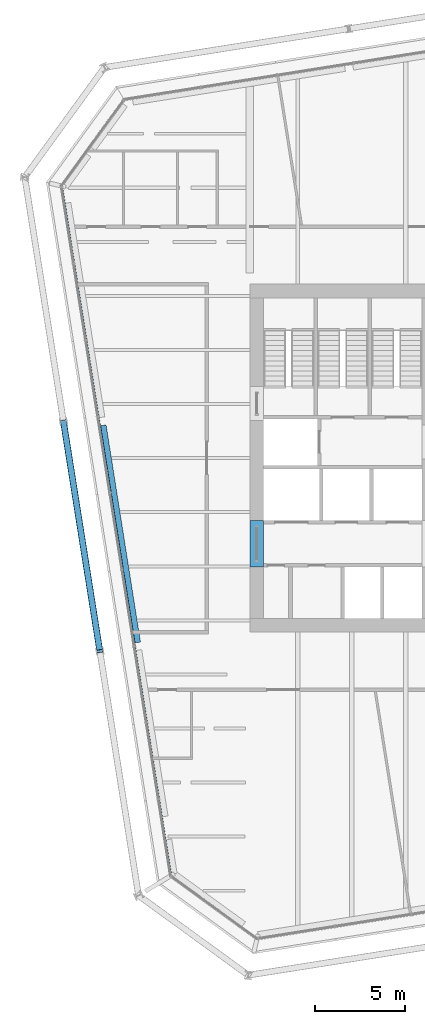
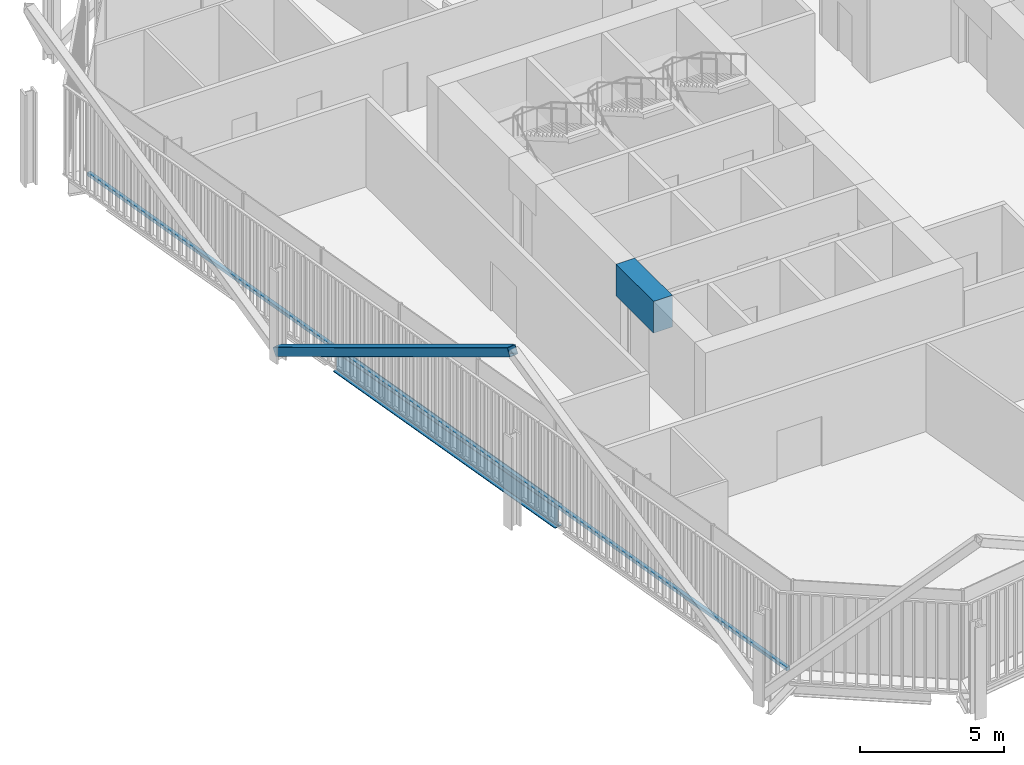
# One storey, part 3 of 19: 2 beams, 2 members, 1 element without a shape of its own.
"""IFC4 building model written with IfcOpenShell, lengths in metres."""

from ifc_helpers import new_model, si_unit, direction, frame, origin, origin_2d, place, context, subcontext, project, spatial, rectangle, hollow_rectangle, i_section, extrude, material, layer, layer_set, material_profile, profile_set, type_object, element, aggregate, save


model = new_model("IFC4")

# Units and contexts
model_context = context("Model", 3, precision=1e-05, world=origin(), true_north=direction((0.0, 1.0)))
body_context = subcontext(model_context, "Body", "Model", "MODEL_VIEW")
ifc_project = project(units=[si_unit("LENGTHUNIT", "METRE"), si_unit("AREAUNIT", "SQUARE_METRE"), si_unit("VOLUMEUNIT", "CUBIC_METRE"), si_unit("PLANEANGLEUNIT", "RADIAN"), si_unit("MASSUNIT", "GRAM", prefix="KILO")], contexts=[model_context])

# Site, building, storey
site_placement = place(None, origin())
site = spatial("IfcSite", under=ifc_project, at=site_placement, CompositionType="ELEMENT")
building_placement = place(site_placement, origin())
building = spatial("IfcBuilding", under=site, at=building_placement, Name="Millrace Tower", CompositionType="ELEMENT")
storey_placement = place(building_placement, frame((0.0, 0.0, 129.5)))
storey = spatial("IfcBuildingStorey", under=building, at=storey_placement, Name="L28", CompositionType="ELEMENT", Elevation=129.5)

# Curtain wall, member
ifc_material_1 = material(Name="Aluminium and glass", Category="aluminium")
ifc_layer = layer(ifc_material_1, 0.14990234375)
ifc_layer_set = layer_set([ifc_layer], Name="Aluminium and glass")
curtain_wall_type = type_object("IfcCurtainWallType", Name="CW-1 office vision curtain wall", PredefinedType="NOTDEFINED", material=ifc_layer_set)
curtain_wall_placement = place(storey_placement, origin())
curtain_wall = element("IfcCurtainWall", 1, at=curtain_wall_placement, inside=storey, type_object=curtain_wall_type, Name="Curtain wall C-F08 L28", PredefinedType="NOTDEFINED")
ifc_material_2 = material(Name="Aluminium", Category="aluminium")
ifc_material_profile_1 = material_profile(ifc_material_2, rectangle(XDim=0.14990234375, YDim=0.139892578125, at=origin_2d()))
ifc_profile_set_1 = profile_set([ifc_material_profile_1], Name="Aluminium")
member_type_1 = type_object("IfcMemberType", Name="CW-1 office vision curtain wall transom", PredefinedType="USERDEFINED", material=ifc_profile_set_1)
member_1_placement = place(storey_placement, frame((-25.09619140625, 14.97509765625, 0.070068359375), z_axis=(0.156433422663, -0.987688505691, 0.0), x_axis=(0.987688505691, 0.156433422663, 0.0)))
member_1 = element("IfcMember", 2, at=member_1_placement, type_object=member_type_1, Name="CW1 transom C-F08.1", ObjectType="TRANSOM", PredefinedType="USERDEFINED", context=body_context, shape_type="SweptSolid", body=[
    extrude(rectangle(XDim=0.14990234375, YDim=0.139892578125, at=origin_2d()), origin(), (0.0, 0.0, 1.0), 38.5),
])
aggregate(curtain_wall, [member_1])

# Beam
ifc_material_3 = material(Name="Concrete C70", Category="concrete")
ifc_material_profile_2 = material_profile(ifc_material_3, rectangle(XDim=0.75, YDim=1.340087890625, at=origin_2d()))
ifc_profile_set_2 = profile_set([ifc_material_profile_2], Name="Concrete C70")
beam_type_1 = type_object("IfcBeamType", Name="Coupling beam 750 x 1340 Concrete C70, 2000 opening", PredefinedType="BEAM", material=ifc_profile_set_2)
beam_1_placement = place(storey_placement, frame((-14.27490234375, -6.050048828125, 3.070068359375), z_axis=(0.0, 1.0, 0.0), x_axis=(-1.0, 0.0, 0.0)))
element("IfcBeam", 3, at=beam_1_placement, inside=storey, type_object=beam_type_1, Name="Coupling beam W L28", PredefinedType="BEAM", context=body_context, shape_type="SweptSolid", body=[
    extrude(rectangle(XDim=0.75, YDim=1.340087890625, at=origin_2d()), origin(), (0.0, 0.0, 1.0), 2.60009765625),
])

# Member
ifc_material_4 = material(Name="Steel ASTM A500 Grade C", Category="steel")
ifc_material_profile_3 = material_profile(ifc_material_4, hollow_rectangle(XDim=0.355712890625, YDim=0.355712890625, WallThickness=0.015869140625, InnerFilletRadius=0.008056640625, OuterFilletRadius=0.02392578125, at=origin_2d()))
ifc_profile_set_3 = profile_set([ifc_material_profile_3], Name="Steel ASTM A500 Grade C")
member_type_2 = type_object("IfcMemberType", Name="Exoskeleton brace HSS14x14x5/8", PredefinedType="BRACE", material=ifc_profile_set_3)
member_2_placement = place(storey_placement, frame((-24.9951171875, 2.031494140625, 0.39990234375), z_axis=(0.137499609887, -0.868113917345, 0.476940335673), x_axis=(0.987687659758, 0.156438763615, 0.0)))
element("IfcMember", 4, at=member_2_placement, inside=storey, type_object=member_type_2, Name="BRC-C-L28-15", PredefinedType="BRACE", context=body_context, shape_type="SweptSolid", body=[
    extrude(hollow_rectangle(XDim=0.355712890625, YDim=0.355712890625, WallThickness=0.015869140625, InnerFilletRadius=0.008056640625, OuterFilletRadius=0.02392578125, at=origin_2d()), origin(), (0.0, 0.0, 1.0), 14.677001953125),
])

# Beam
ifc_material_5 = material(Name="Steel ASTM A992 Grade 50", Category="steel")
ifc_material_profile_4 = material_profile(ifc_material_5, i_section(OverallWidth=0.307373046875, OverallDepth=0.927001953125, WebThickness=0.01953125, FlangeThickness=0.031982421875, FilletRadius=0.01904296875, at=origin_2d()))
ifc_profile_set_4 = profile_set([ifc_material_profile_4], Name="Steel ASTM A992 Grade 50")
beam_type_2 = type_object("IfcBeamType", Name="Ring beam medium span W36x194", PredefinedType="SPANDREL", material=ifc_profile_set_4)
beam_2_placement = place(storey_placement, frame((-20.87255859375, -10.229248046875, -0.62353515625), z_axis=(-0.156446552246, 0.987686426094, 0.0), x_axis=(-0.987686426094, -0.156446552246, 0.0)))
element("IfcBeam", 5, at=beam_2_placement, inside=storey, type_object=beam_type_2, Name="RNG-C-L28-S1-02", PredefinedType="SPANDREL", context=body_context, shape_type="SweptSolid", body=[
    extrude(i_section(OverallWidth=0.307373046875, OverallDepth=0.927001953125, WebThickness=0.01953125, FlangeThickness=0.031982421875, FilletRadius=0.01904296875, at=origin_2d()), origin(), (0.0, 0.0, 1.0), 12.2001953125),
])

save(model, "model.ifc")
